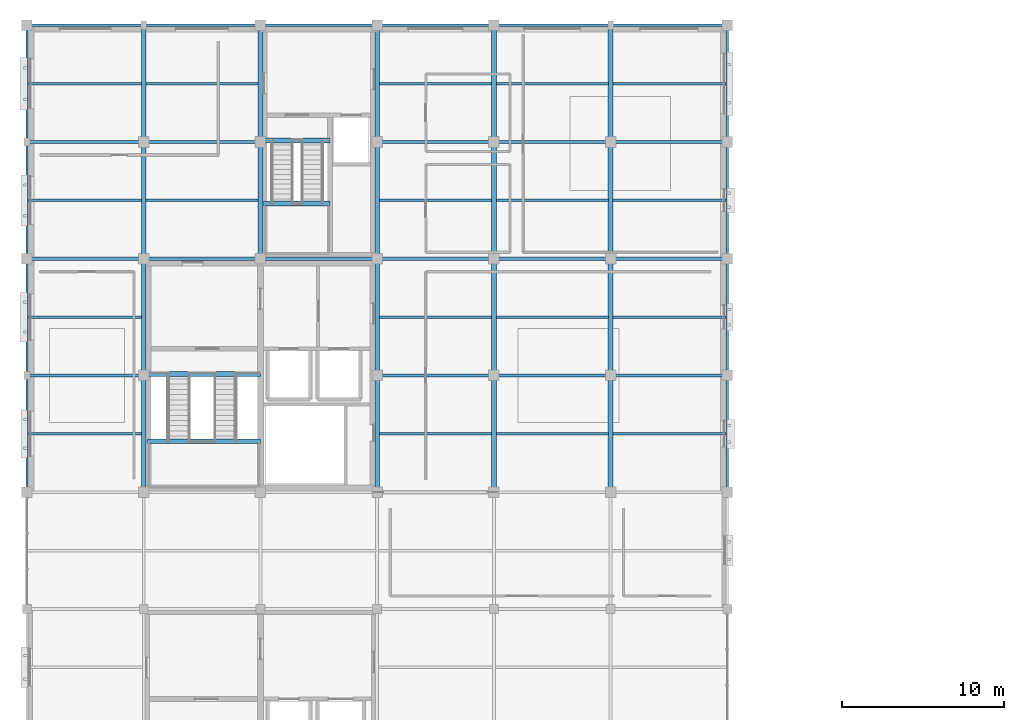
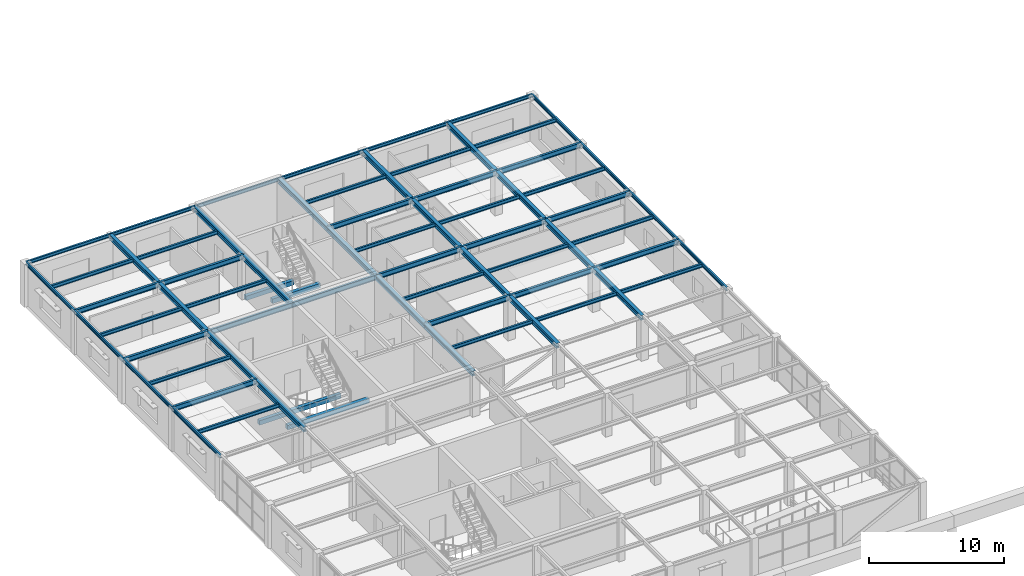
# One storey, part 24 of 83: 69 beams.
"""IFC4 building model written with IfcOpenShell, lengths in metres."""

from ifc_helpers import new_model, si_unit, direction, frame, origin, origin_2d, place, context, subcontext, project, spatial, rectangle, i_section, extrude, material, material_profile, profile_set, type_object, element, save


model = new_model("IFC4")

# Units and contexts
model_context = context("Model", 3, precision=1e-05, world=origin(), true_north=direction((0.0, 1.0)))
body_context = subcontext(model_context, "Body", "Model", "MODEL_VIEW")
ifc_project = project(units=[si_unit("LENGTHUNIT", "METRE"), si_unit("AREAUNIT", "SQUARE_METRE"), si_unit("VOLUMEUNIT", "CUBIC_METRE"), si_unit("PLANEANGLEUNIT", "RADIAN"), si_unit("MASSUNIT", "GRAM", prefix="KILO")], contexts=[model_context])

# Site, building, storey
site_placement = place(None, origin())
site = spatial("IfcSite", under=ifc_project, at=site_placement, CompositionType="ELEMENT")
building_placement = place(site_placement, origin())
building = spatial("IfcBuilding", under=site, at=building_placement, Name="Leyfeld Transit Interchange", CompositionType="ELEMENT")
storey_placement = place(building_placement, frame((0.0, 0.0, 5.39990234375)))
storey = spatial("IfcBuildingStorey", under=building, at=storey_placement, Name="L01", CompositionType="ELEMENT", Elevation=5.39990234375)

# Beams
ifc_material_1 = material(Name="Concrete C35/45", Category="concrete")
ifc_material_profile_1 = material_profile(ifc_material_1, rectangle(XDim=0.300048828125, YDim=0.39990234375, at=origin_2d()), Name="RC 400x300")
ifc_profile_set_1 = profile_set([ifc_material_profile_1], Name="Concrete C35/45")
beam_type_1 = type_object("IfcBeamType", Name="BM-RC-400x300", PredefinedType="LINTEL", material=ifc_profile_set_1)
for number, where, z_axis, x_axis, name in (
    (1, (7.425048828125, 100.89990234375, -0.199951171875), (1.0, 0.0, 0.0), (0.0, 1.0, 0.0), "Core K1 Floor Landing Corbel L01"),
    (2, (7.425048828125, 96.739990234375, 1.900146484375), (1.0, 0.0, 0.0), (0.0, 1.0, 0.0), "Stair ST-01 L01 Half-Landing Corbel"),
):
    element("IfcBeam", number, at=place(storey_placement, frame(where, z_axis=z_axis, x_axis=x_axis)), inside=storey, type_object=beam_type_1, Name=name, PredefinedType="LINTEL", context=body_context, shape_type="SweptSolid", body=[
        extrude(rectangle(XDim=0.300048828125, YDim=0.39990234375, at=origin_2d()), origin(), (0.0, 0.0, 1.0), 6.974853515625),
    ])
for number, where, z_axis, x_axis, name in (
    (3, (14.60009765625, 115.300048828125, -0.199951171875), (1.0, 0.0, 0.0), (0.0, 1.0, 0.0), "Core K2 Floor Landing Corbel L01"),
    (4, (14.60009765625, 111.39990234375, 1.900146484375), (1.0, 0.0, 0.0), (0.0, 1.0, 0.0), "Stair ST-02 L01 Half-Landing Corbel"),
):
    element("IfcBeam", number, at=place(storey_placement, frame(where, z_axis=z_axis, x_axis=x_axis)), inside=storey, type_object=beam_type_1, Name=name, PredefinedType="LINTEL", context=body_context, shape_type="SweptSolid", body=[
        extrude(rectangle(XDim=0.300048828125, YDim=0.39990234375, at=origin_2d()), origin(), (0.0, 0.0, 1.0), 4.099853515625),
    ])
ifc_material_2 = material(Name="Steel S355J2", Category="steel")
ifc_material_profile_2 = material_profile(ifc_material_2, i_section(OverallWidth=0.300048828125, OverallDepth=0.449951171875, WebThickness=0.013916015625, FlangeThickness=0.02587890625, FilletRadius=0.027099609375, at=origin_2d()), Name="HEB 450")
ifc_profile_set_2 = profile_set([ifc_material_profile_2], Name="Steel S355J2")
beam_type_2 = type_object("IfcBeamType", Name="BM-STL-HEB450", PredefinedType="JOIST", material=ifc_profile_set_2)
for number, where, z_axis, x_axis, name in (
    (5, (7.199951171875, 93.60009765625, 3.655029296875), (0.0, 1.0, 0.0), (-1.0, 0.0, 0.0), "Beam BM-L01-0072_0936-0072_1008"),
    (6, (7.199951171875, 100.800048828125, 3.655029296875), (0.0, 1.0, 0.0), (-1.0, 0.0, 0.0), "Beam BM-L01-0072_1008-0072_1080"),
    (7, (7.199951171875, 108.0, 3.655029296875), (0.0, 1.0, 0.0), (-1.0, 0.0, 0.0), "Beam BM-L01-0072_1080-0072_1152"),
    (8, (7.199951171875, 115.199951171875, 3.655029296875), (0.0, 1.0, 0.0), (-1.0, 0.0, 0.0), "Beam BM-L01-0072_1152-0072_1224"),
    (9, (14.39990234375, 108.0, 3.655029296875), (0.0, 1.0, 0.0), (-1.0, 0.0, 0.0), "Beam BM-L01-0144_1080-0144_1152"),
    (10, (14.39990234375, 115.199951171875, 3.655029296875), (0.0, 1.0, 0.0), (-1.0, 0.0, 0.0), "Beam BM-L01-0144_1152-0144_1224"),
    (11, (21.60009765625, 93.60009765625, 3.655029296875), (0.0, 1.0, 0.0), (-1.0, 0.0, 0.0), "Beam BM-L01-0216_0936-0216_1008"),
    (12, (21.60009765625, 100.800048828125, 3.655029296875), (0.0, 1.0, 0.0), (-1.0, 0.0, 0.0), "Beam BM-L01-0216_1008-0216_1080"),
    (13, (21.60009765625, 108.0, 3.655029296875), (0.0, 1.0, 0.0), (-1.0, 0.0, 0.0), "Beam BM-L01-0216_1080-0216_1152"),
    (14, (21.60009765625, 115.199951171875, 3.655029296875), (0.0, 1.0, 0.0), (-1.0, 0.0, 0.0), "Beam BM-L01-0216_1152-0216_1224"),
    (15, (28.800048828125, 93.60009765625, 3.655029296875), (0.0, 1.0, 0.0), (-1.0, 0.0, 0.0), "Beam BM-L01-0288_0936-0288_1008"),
    (16, (28.800048828125, 100.800048828125, 3.655029296875), (0.0, 1.0, 0.0), (-1.0, 0.0, 0.0), "Beam BM-L01-0288_1008-0288_1080"),
    (17, (28.800048828125, 108.0, 3.655029296875), (0.0, 1.0, 0.0), (-1.0, 0.0, 0.0), "Beam BM-L01-0288_1080-0288_1152"),
    (18, (28.800048828125, 115.199951171875, 3.655029296875), (0.0, 1.0, 0.0), (-1.0, 0.0, 0.0), "Beam BM-L01-0288_1152-0288_1224"),
    (19, (36.0, 93.60009765625, 3.655029296875), (0.0, 1.0, 0.0), (-1.0, 0.0, 0.0), "Beam BM-L01-0360_0936-0360_1008"),
    (20, (36.0, 100.800048828125, 3.655029296875), (0.0, 1.0, 0.0), (-1.0, 0.0, 0.0), "Beam BM-L01-0360_1008-0360_1080"),
    (21, (36.0, 108.0, 3.655029296875), (0.0, 1.0, 0.0), (-1.0, 0.0, 0.0), "Beam BM-L01-0360_1080-0360_1152"),
    (22, (36.0, 115.199951171875, 3.655029296875), (0.0, 1.0, 0.0), (-1.0, 0.0, 0.0), "Beam BM-L01-0360_1152-0360_1224"),
):
    element("IfcBeam", number, at=place(storey_placement, frame(where, z_axis=z_axis, x_axis=x_axis)), inside=storey, type_object=beam_type_2, Name=name, PredefinedType="JOIST", context=body_context, shape_type="SweptSolid", body=[
        extrude(i_section(OverallWidth=0.300048828125, OverallDepth=0.449951171875, WebThickness=0.013916015625, FlangeThickness=0.02587890625, FilletRadius=0.027099609375, at=origin_2d()), origin(), (0.0, 0.0, 1.0), 7.199951171875),
    ])
ifc_material_profile_3 = material_profile(ifc_material_2, i_section(OverallWidth=0.14990234375, OverallDepth=0.300048828125, WebThickness=0.007080078125, FlangeThickness=0.0107421875, FilletRadius=0.014892578125, at=origin_2d()), Name="IPE 300")
ifc_profile_set_3 = profile_set([ifc_material_profile_3], Name="Steel S355J2")
beam_type_3 = type_object("IfcBeamType", Name="BM-STL-IPE300", PredefinedType="SPANDREL", material=ifc_profile_set_3)
for number, where, z_axis, x_axis, name in (
    (23, (0.0, 93.60009765625, 3.72998046875), (0.0, 1.0, 0.0), (-1.0, 0.0, 0.0), "Beam BM-L01-0000_0936-0000_1008"),
    (24, (0.0, 100.800048828125, 3.72998046875), (0.0, 1.0, 0.0), (-1.0, 0.0, 0.0), "Beam BM-L01-0000_1008-0000_1080"),
    (25, (0.0, 108.0, 3.72998046875), (0.0, 1.0, 0.0), (-1.0, 0.0, 0.0), "Beam BM-L01-0000_1080-0000_1152"),
    (26, (0.0, 115.199951171875, 3.72998046875), (0.0, 1.0, 0.0), (-1.0, 0.0, 0.0), "Beam BM-L01-0000_1152-0000_1224"),
    (27, (43.199951171875, 93.60009765625, 3.72998046875), (0.0, 1.0, 0.0), (-1.0, 0.0, 0.0), "Beam BM-L01-0432_0936-0432_1008"),
    (28, (43.199951171875, 100.800048828125, 3.72998046875), (0.0, 1.0, 0.0), (-1.0, 0.0, 0.0), "Beam BM-L01-0432_1008-0432_1080"),
    (29, (43.199951171875, 108.0, 3.72998046875), (0.0, 1.0, 0.0), (-1.0, 0.0, 0.0), "Beam BM-L01-0432_1080-0432_1152"),
    (30, (43.199951171875, 115.199951171875, 3.72998046875), (0.0, 1.0, 0.0), (-1.0, 0.0, 0.0), "Beam BM-L01-0432_1152-0432_1224"),
    (31, (0.0, 122.39990234375, 3.72998046875), (1.0, 0.0, 0.0), (0.0, 1.0, 0.0), "Beam BM-L01-0000_1224-0072_1224"),
    (32, (7.199951171875, 122.39990234375, 3.72998046875), (1.0, 0.0, 0.0), (0.0, 1.0, 0.0), "Beam BM-L01-0072_1224-0144_1224"),
):
    element("IfcBeam", number, at=place(storey_placement, frame(where, z_axis=z_axis, x_axis=x_axis)), inside=storey, type_object=beam_type_3, Name=name, PredefinedType="SPANDREL", context=body_context, shape_type="SweptSolid", body=[
        extrude(i_section(OverallWidth=0.14990234375, OverallDepth=0.300048828125, WebThickness=0.007080078125, FlangeThickness=0.0107421875, FilletRadius=0.014892578125, at=origin_2d()), origin(), (0.0, 0.0, 1.0), 7.199951171875),
    ])
beam_1_placement = place(storey_placement, frame((14.39990234375, 122.39990234375, 3.72998046875), z_axis=(1.0, 0.0, 0.0), x_axis=(0.0, 1.0, 0.0)))
element("IfcBeam", 33, at=beam_1_placement, inside=storey, type_object=beam_type_3, Name="Beam BM-L01-0144_1224-0216_1224", PredefinedType="SPANDREL", context=body_context, shape_type="SweptSolid", body=[
    extrude(i_section(OverallWidth=0.14990234375, OverallDepth=0.300048828125, WebThickness=0.007080078125, FlangeThickness=0.0107421875, FilletRadius=0.014892578125, at=origin_2d()), origin(), (0.0, 0.0, 1.0), 7.2001953125),
])
for number, where, z_axis, x_axis, name in (
    (34, (21.60009765625, 122.39990234375, 3.72998046875), (1.0, 0.0, 0.0), (0.0, 1.0, 0.0), "Beam BM-L01-0216_1224-0288_1224"),
    (35, (28.800048828125, 122.39990234375, 3.72998046875), (1.0, 0.0, 0.0), (0.0, 1.0, 0.0), "Beam BM-L01-0288_1224-0360_1224"),
    (36, (36.0, 122.39990234375, 3.72998046875), (1.0, 0.0, 0.0), (0.0, 1.0, 0.0), "Beam BM-L01-0360_1224-0432_1224"),
):
    element("IfcBeam", number, at=place(storey_placement, frame(where, z_axis=z_axis, x_axis=x_axis)), inside=storey, type_object=beam_type_3, Name=name, PredefinedType="SPANDREL", context=body_context, shape_type="SweptSolid", body=[
        extrude(i_section(OverallWidth=0.14990234375, OverallDepth=0.300048828125, WebThickness=0.007080078125, FlangeThickness=0.0107421875, FilletRadius=0.014892578125, at=origin_2d()), origin(), (0.0, 0.0, 1.0), 7.199951171875),
    ])
ifc_material_profile_4 = material_profile(ifc_material_2, i_section(OverallWidth=0.159912109375, OverallDepth=0.330078125, WebThickness=0.007568359375, FlangeThickness=0.011474609375, FilletRadius=0.01806640625, at=origin_2d()), Name="IPE 330")
ifc_profile_set_4 = profile_set([ifc_material_profile_4], Name="Steel S355J2")
beam_type_4 = type_object("IfcBeamType", Name="BM-STL-IPE330", PredefinedType="BEAM", material=ifc_profile_set_4)
beam_2_placement = place(storey_placement, frame((0.072021484375, 97.199951171875, 3.715087890625), z_axis=(1.0, 0.0, 0.0), x_axis=(0.0, 1.0, 0.0)))
element("IfcBeam", 37, at=beam_2_placement, inside=storey, type_object=beam_type_4, Name="Beam BM-L01-0001_0972-0071_0972", PredefinedType="BEAM", context=body_context, shape_type="SweptSolid", body=[
    extrude(i_section(OverallWidth=0.159912109375, OverallDepth=0.330078125, WebThickness=0.007568359375, FlangeThickness=0.011474609375, FilletRadius=0.01806640625, at=origin_2d()), origin(), (0.0, 0.0, 1.0), 6.98095703125),
])
for number, where, z_axis, x_axis, name in (
    (38, (21.7470703125, 97.199951171875, 3.715087890625), (1.0, 0.0, 0.0), (0.0, 1.0, 0.0), "Beam BM-L01-0217_0972-0287_0972"),
    (39, (28.947021484375, 97.199951171875, 3.715087890625), (1.0, 0.0, 0.0), (0.0, 1.0, 0.0), "Beam BM-L01-0289_0972-0359_0972"),
):
    element("IfcBeam", number, at=place(storey_placement, frame(where, z_axis=z_axis, x_axis=x_axis)), inside=storey, type_object=beam_type_4, Name=name, PredefinedType="BEAM", context=body_context, shape_type="SweptSolid", body=[
        extrude(i_section(OverallWidth=0.159912109375, OverallDepth=0.330078125, WebThickness=0.007568359375, FlangeThickness=0.011474609375, FilletRadius=0.01806640625, at=origin_2d()), origin(), (0.0, 0.0, 1.0), 6.906005859375),
    ])
for number, where, z_axis, x_axis, name in (
    (40, (36.14697265625, 97.199951171875, 3.715087890625), (1.0, 0.0, 0.0), (0.0, 1.0, 0.0), "Beam BM-L01-0361_0972-0431_0972"),
    (41, (0.072021484375, 104.39990234375, 3.715087890625), (1.0, 0.0, 0.0), (0.0, 1.0, 0.0), "Beam BM-L01-0001_1044-0071_1044"),
):
    element("IfcBeam", number, at=place(storey_placement, frame(where, z_axis=z_axis, x_axis=x_axis)), inside=storey, type_object=beam_type_4, Name=name, PredefinedType="BEAM", context=body_context, shape_type="SweptSolid", body=[
        extrude(i_section(OverallWidth=0.159912109375, OverallDepth=0.330078125, WebThickness=0.007568359375, FlangeThickness=0.011474609375, FilletRadius=0.01806640625, at=origin_2d()), origin(), (0.0, 0.0, 1.0), 6.98095703125),
    ])
for number, where, z_axis, x_axis, name in (
    (42, (21.7470703125, 104.39990234375, 3.715087890625), (1.0, 0.0, 0.0), (0.0, 1.0, 0.0), "Beam BM-L01-0217_1044-0287_1044"),
    (43, (28.947021484375, 104.39990234375, 3.715087890625), (1.0, 0.0, 0.0), (0.0, 1.0, 0.0), "Beam BM-L01-0289_1044-0359_1044"),
):
    element("IfcBeam", number, at=place(storey_placement, frame(where, z_axis=z_axis, x_axis=x_axis)), inside=storey, type_object=beam_type_4, Name=name, PredefinedType="BEAM", context=body_context, shape_type="SweptSolid", body=[
        extrude(i_section(OverallWidth=0.159912109375, OverallDepth=0.330078125, WebThickness=0.007568359375, FlangeThickness=0.011474609375, FilletRadius=0.01806640625, at=origin_2d()), origin(), (0.0, 0.0, 1.0), 6.906005859375),
    ])
for number, where, z_axis, x_axis, name in (
    (44, (36.14697265625, 104.39990234375, 3.715087890625), (1.0, 0.0, 0.0), (0.0, 1.0, 0.0), "Beam BM-L01-0361_1044-0431_1044"),
    (45, (0.072021484375, 111.60009765625, 3.715087890625), (1.0, 0.0, 0.0), (0.0, 1.0, 0.0), "Beam BM-L01-0001_1116-0071_1116"),
):
    element("IfcBeam", number, at=place(storey_placement, frame(where, z_axis=z_axis, x_axis=x_axis)), inside=storey, type_object=beam_type_4, Name=name, PredefinedType="BEAM", context=body_context, shape_type="SweptSolid", body=[
        extrude(i_section(OverallWidth=0.159912109375, OverallDepth=0.330078125, WebThickness=0.007568359375, FlangeThickness=0.011474609375, FilletRadius=0.01806640625, at=origin_2d()), origin(), (0.0, 0.0, 1.0), 6.98095703125),
    ])
for number, where, z_axis, x_axis, name in (
    (46, (7.346923828125, 111.60009765625, 3.715087890625), (1.0, 0.0, 0.0), (0.0, 1.0, 0.0), "Beam BM-L01-0073_1116-0143_1116"),
    (47, (21.7470703125, 111.60009765625, 3.715087890625), (1.0, 0.0, 0.0), (0.0, 1.0, 0.0), "Beam BM-L01-0217_1116-0287_1116"),
    (48, (28.947021484375, 111.60009765625, 3.715087890625), (1.0, 0.0, 0.0), (0.0, 1.0, 0.0), "Beam BM-L01-0289_1116-0359_1116"),
):
    element("IfcBeam", number, at=place(storey_placement, frame(where, z_axis=z_axis, x_axis=x_axis)), inside=storey, type_object=beam_type_4, Name=name, PredefinedType="BEAM", context=body_context, shape_type="SweptSolid", body=[
        extrude(i_section(OverallWidth=0.159912109375, OverallDepth=0.330078125, WebThickness=0.007568359375, FlangeThickness=0.011474609375, FilletRadius=0.01806640625, at=origin_2d()), origin(), (0.0, 0.0, 1.0), 6.906005859375),
    ])
for number, where, z_axis, x_axis, name in (
    (49, (36.14697265625, 111.60009765625, 3.715087890625), (1.0, 0.0, 0.0), (0.0, 1.0, 0.0), "Beam BM-L01-0361_1116-0431_1116"),
    (50, (0.072021484375, 118.800048828125, 3.715087890625), (1.0, 0.0, 0.0), (0.0, 1.0, 0.0), "Beam BM-L01-0001_1188-0071_1188"),
):
    element("IfcBeam", number, at=place(storey_placement, frame(where, z_axis=z_axis, x_axis=x_axis)), inside=storey, type_object=beam_type_4, Name=name, PredefinedType="BEAM", context=body_context, shape_type="SweptSolid", body=[
        extrude(i_section(OverallWidth=0.159912109375, OverallDepth=0.330078125, WebThickness=0.007568359375, FlangeThickness=0.011474609375, FilletRadius=0.01806640625, at=origin_2d()), origin(), (0.0, 0.0, 1.0), 6.98095703125),
    ])
for number, where, z_axis, x_axis, name in (
    (51, (7.346923828125, 118.800048828125, 3.715087890625), (1.0, 0.0, 0.0), (0.0, 1.0, 0.0), "Beam BM-L01-0073_1188-0143_1188"),
    (52, (21.7470703125, 118.800048828125, 3.715087890625), (1.0, 0.0, 0.0), (0.0, 1.0, 0.0), "Beam BM-L01-0217_1188-0287_1188"),
    (53, (28.947021484375, 118.800048828125, 3.715087890625), (1.0, 0.0, 0.0), (0.0, 1.0, 0.0), "Beam BM-L01-0289_1188-0359_1188"),
):
    element("IfcBeam", number, at=place(storey_placement, frame(where, z_axis=z_axis, x_axis=x_axis)), inside=storey, type_object=beam_type_4, Name=name, PredefinedType="BEAM", context=body_context, shape_type="SweptSolid", body=[
        extrude(i_section(OverallWidth=0.159912109375, OverallDepth=0.330078125, WebThickness=0.007568359375, FlangeThickness=0.011474609375, FilletRadius=0.01806640625, at=origin_2d()), origin(), (0.0, 0.0, 1.0), 6.906005859375),
    ])
beam_3_placement = place(storey_placement, frame((36.14697265625, 118.800048828125, 3.715087890625), z_axis=(1.0, 0.0, 0.0), x_axis=(0.0, 1.0, 0.0)))
element("IfcBeam", 54, at=beam_3_placement, inside=storey, type_object=beam_type_4, Name="Beam BM-L01-0361_1188-0431_1188", PredefinedType="BEAM", context=body_context, shape_type="SweptSolid", body=[
    extrude(i_section(OverallWidth=0.159912109375, OverallDepth=0.330078125, WebThickness=0.007568359375, FlangeThickness=0.011474609375, FilletRadius=0.01806640625, at=origin_2d()), origin(), (0.0, 0.0, 1.0), 6.98095703125),
])
ifc_material_profile_5 = material_profile(ifc_material_2, i_section(OverallWidth=0.18994140625, OverallDepth=0.449951171875, WebThickness=0.009521484375, FlangeThickness=0.0146484375, FilletRadius=0.02099609375, at=origin_2d()), Name="IPE 450")
ifc_profile_set_5 = profile_set([ifc_material_profile_5], Name="Steel S355J2")
beam_type_5 = type_object("IfcBeamType", Name="BM-STL-IPE450", PredefinedType="BEAM", material=ifc_profile_set_5)
for number, where, z_axis, x_axis, name in (
    (55, (0.0, 100.800048828125, 3.655029296875), (1.0, 0.0, 0.0), (0.0, 1.0, 0.0), "Beam BM-L01-0000_1008-0072_1008"),
    (56, (21.60009765625, 100.800048828125, 3.655029296875), (1.0, 0.0, 0.0), (0.0, 1.0, 0.0), "Beam BM-L01-0216_1008-0288_1008"),
    (57, (28.800048828125, 100.800048828125, 3.655029296875), (1.0, 0.0, 0.0), (0.0, 1.0, 0.0), "Beam BM-L01-0288_1008-0360_1008"),
    (58, (36.0, 100.800048828125, 3.655029296875), (1.0, 0.0, 0.0), (0.0, 1.0, 0.0), "Beam BM-L01-0360_1008-0432_1008"),
    (59, (0.0, 108.0, 3.655029296875), (1.0, 0.0, 0.0), (0.0, 1.0, 0.0), "Beam BM-L01-0000_1080-0072_1080"),
    (60, (7.199951171875, 108.0, 3.655029296875), (1.0, 0.0, 0.0), (0.0, 1.0, 0.0), "Beam BM-L01-0072_1080-0144_1080"),
):
    element("IfcBeam", number, at=place(storey_placement, frame(where, z_axis=z_axis, x_axis=x_axis)), inside=storey, type_object=beam_type_5, Name=name, PredefinedType="BEAM", context=body_context, shape_type="SweptSolid", body=[
        extrude(i_section(OverallWidth=0.18994140625, OverallDepth=0.449951171875, WebThickness=0.009521484375, FlangeThickness=0.0146484375, FilletRadius=0.02099609375, at=origin_2d()), origin(), (0.0, 0.0, 1.0), 7.199951171875),
    ])
beam_4_placement = place(storey_placement, frame((14.39990234375, 108.0, 3.655029296875), z_axis=(1.0, 0.0, 0.0), x_axis=(0.0, 1.0, 0.0)))
element("IfcBeam", 61, at=beam_4_placement, inside=storey, type_object=beam_type_5, Name="Beam BM-L01-0144_1080-0216_1080", PredefinedType="BEAM", context=body_context, shape_type="SweptSolid", body=[
    extrude(i_section(OverallWidth=0.18994140625, OverallDepth=0.449951171875, WebThickness=0.009521484375, FlangeThickness=0.0146484375, FilletRadius=0.02099609375, at=origin_2d()), origin(), (0.0, 0.0, 1.0), 7.2001953125),
])
for number, where, z_axis, x_axis, name in (
    (62, (21.60009765625, 108.0, 3.655029296875), (1.0, 0.0, 0.0), (0.0, 1.0, 0.0), "Beam BM-L01-0216_1080-0288_1080"),
    (63, (28.800048828125, 108.0, 3.655029296875), (1.0, 0.0, 0.0), (0.0, 1.0, 0.0), "Beam BM-L01-0288_1080-0360_1080"),
    (64, (36.0, 108.0, 3.655029296875), (1.0, 0.0, 0.0), (0.0, 1.0, 0.0), "Beam BM-L01-0360_1080-0432_1080"),
    (65, (0.0, 115.199951171875, 3.655029296875), (1.0, 0.0, 0.0), (0.0, 1.0, 0.0), "Beam BM-L01-0000_1152-0072_1152"),
    (66, (7.199951171875, 115.199951171875, 3.655029296875), (1.0, 0.0, 0.0), (0.0, 1.0, 0.0), "Beam BM-L01-0072_1152-0144_1152"),
    (67, (21.60009765625, 115.199951171875, 3.655029296875), (1.0, 0.0, 0.0), (0.0, 1.0, 0.0), "Beam BM-L01-0216_1152-0288_1152"),
    (68, (28.800048828125, 115.199951171875, 3.655029296875), (1.0, 0.0, 0.0), (0.0, 1.0, 0.0), "Beam BM-L01-0288_1152-0360_1152"),
    (69, (36.0, 115.199951171875, 3.655029296875), (1.0, 0.0, 0.0), (0.0, 1.0, 0.0), "Beam BM-L01-0360_1152-0432_1152"),
):
    element("IfcBeam", number, at=place(storey_placement, frame(where, z_axis=z_axis, x_axis=x_axis)), inside=storey, type_object=beam_type_5, Name=name, PredefinedType="BEAM", context=body_context, shape_type="SweptSolid", body=[
        extrude(i_section(OverallWidth=0.18994140625, OverallDepth=0.449951171875, WebThickness=0.009521484375, FlangeThickness=0.0146484375, FilletRadius=0.02099609375, at=origin_2d()), origin(), (0.0, 0.0, 1.0), 7.199951171875),
    ])

save(model, "model.ifc")
